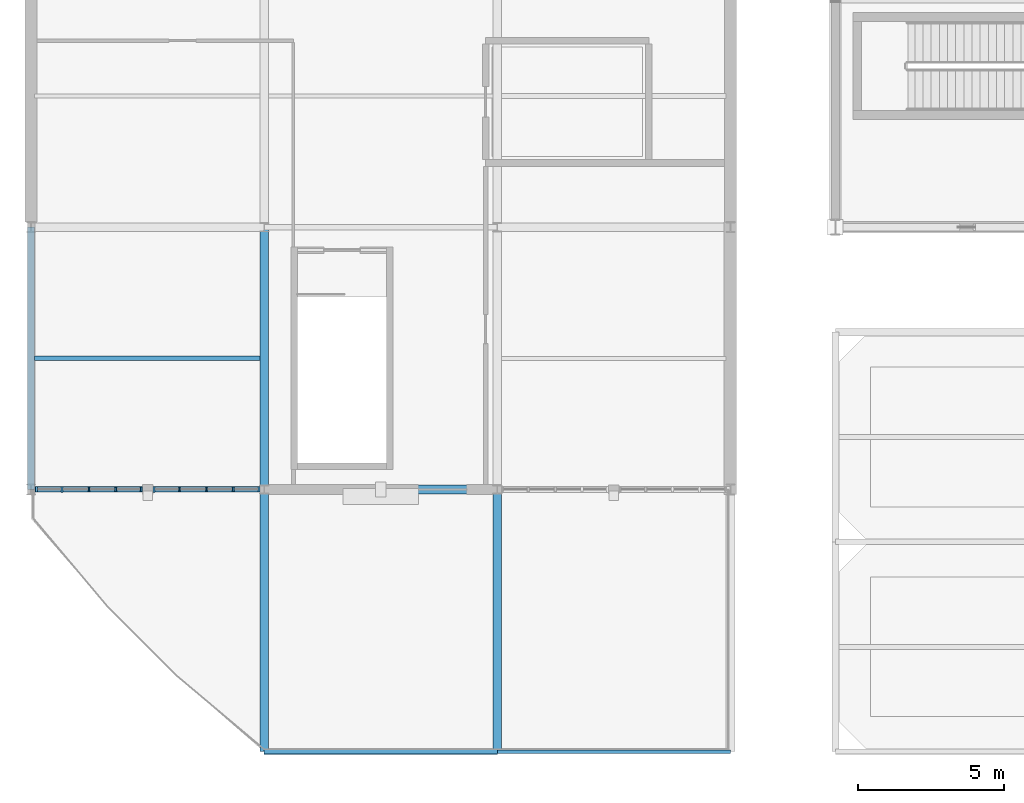
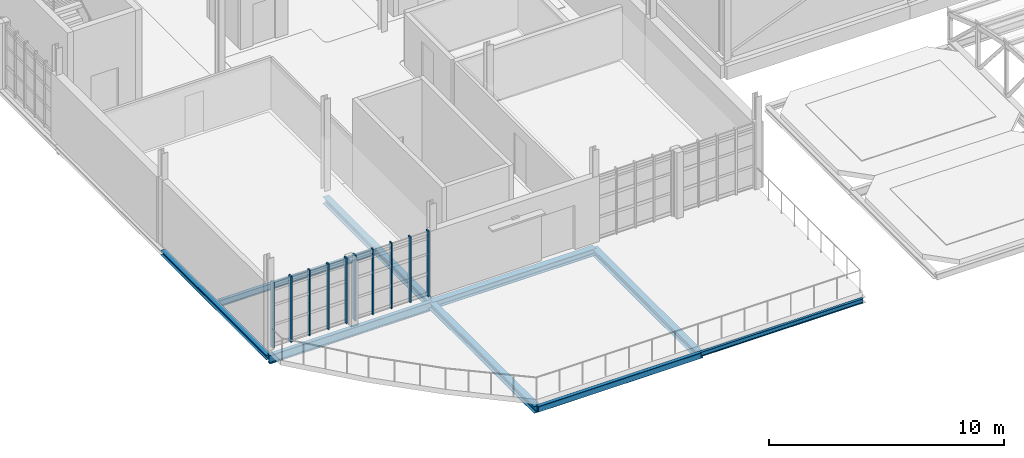
# One storey, part 11 of 128: 10 members, 9 beams, 2 elements without a shape of their own.
"""IFC4 building model written with IfcOpenShell, lengths in metres."""

from ifc_helpers import new_model, si_unit, direction, frame, origin, origin_2d, place, context, subcontext, project, spatial, rectangle, hollow_rectangle, i_section, extrude, material, material_profile, profile_set, type_object, element, aggregate, save


model = new_model("IFC4")

# Units and contexts
model_context = context("Model", 3, precision=1e-05, world=origin(), true_north=direction((0.0, 1.0)))
body_context = subcontext(model_context, "Body", "Model", "MODEL_VIEW")
ifc_project = project(units=[si_unit("LENGTHUNIT", "METRE"), si_unit("AREAUNIT", "SQUARE_METRE"), si_unit("VOLUMEUNIT", "CUBIC_METRE"), si_unit("PLANEANGLEUNIT", "RADIAN"), si_unit("MASSUNIT", "GRAM", prefix="KILO")], contexts=[model_context])

# Site, building, storey
site_placement = place(None, origin())
site = spatial("IfcSite", under=ifc_project, at=site_placement, CompositionType="ELEMENT")
building_placement = place(site_placement, origin())
building = spatial("IfcBuilding", under=site, at=building_placement, Name="Serraforn Aerial Cableway Station", CompositionType="ELEMENT")
storey_placement = place(building_placement, frame((0.0, 0.0, 9.0)))
storey = spatial("IfcBuildingStorey", under=building, at=storey_placement, Name="L02", CompositionType="ELEMENT", Elevation=9.0)

# Beams
ifc_material_1 = material(Name="Steel S355JR", Category="steel")
ifc_material_profile_1 = material_profile(ifc_material_1, i_section(OverallWidth=0.239990234375, OverallDepth=0.239990234375, WebThickness=0.007568359375, FlangeThickness=0.011962890625, FilletRadius=0.02099609375, at=origin_2d()), Name="HEA 240")
ifc_profile_set_1 = profile_set([ifc_material_profile_1], Name="Steel S355JR")
beam_type_1 = type_object("IfcBeamType", Name="BM-ST-HEA240", PredefinedType="BEAM", material=ifc_profile_set_1)
beam_1_placement = place(storey_placement, frame((0.0, 9.0, -0.43994140625), z_axis=(0.0, 1.0, 0.0), x_axis=(-1.0, 0.0, 0.0)))
element("IfcBeam", 1, at=beam_1_placement, inside=storey, type_object=beam_type_1, Name="Grid Girder Y W L02 X1-1", PredefinedType="BEAM", context=body_context, shape_type="SweptSolid", body=[
    extrude(i_section(OverallWidth=0.239990234375, OverallDepth=0.239990234375, WebThickness=0.007568359375, FlangeThickness=0.011962890625, FilletRadius=0.02099609375, at=origin_2d()), origin(), (0.0, 0.0, 1.0), 9.0),
])
ifc_material_profile_2 = material_profile(ifc_material_1, i_section(OverallWidth=0.300048828125, OverallDepth=0.360107421875, WebThickness=0.010009765625, FlangeThickness=0.017578125, FilletRadius=0.027099609375, at=origin_2d()), Name="HEA 360")
ifc_profile_set_2 = profile_set([ifc_material_profile_2], Name="Steel S355JR")
beam_type_2 = type_object("IfcBeamType", Name="BM-ST-HEA360", PredefinedType="BEAM", material=ifc_profile_set_2)
for number, where, z_axis, x_axis, name in (
    (2, (8.0, 0.0, -0.5), (0.0, 1.0, 0.0), (-1.0, 0.0, 0.0), "Grid Girder Y W L02 X2-1"),
    (3, (8.0, 9.0, -0.5), (0.0, 1.0, 0.0), (-1.0, 0.0, 0.0), "Grid Girder Y W L02 X2-2"),
    (4, (16.0, 0.0, -0.5), (0.0, 1.0, 0.0), (-1.0, 0.0, 0.0), "Grid Girder Y W L02 X3-1"),
):
    element("IfcBeam", number, at=place(storey_placement, frame(where, z_axis=z_axis, x_axis=x_axis)), inside=storey, type_object=beam_type_2, Name=name, PredefinedType="BEAM", context=body_context, shape_type="SweptSolid", body=[
        extrude(i_section(OverallWidth=0.300048828125, OverallDepth=0.360107421875, WebThickness=0.010009765625, FlangeThickness=0.017578125, FilletRadius=0.027099609375, at=origin_2d()), origin(), (0.0, 0.0, 1.0), 9.0),
    ])
ifc_material_2 = material(Name="Steel S355J2", Category="steel")
ifc_material_profile_3 = material_profile(ifc_material_2, i_section(OverallWidth=0.300048828125, OverallDepth=0.360107421875, WebThickness=0.012451171875, FlangeThickness=0.0224609375, FilletRadius=0.027099609375, at=origin_2d()), Name="HEB 360")
ifc_profile_set_3 = profile_set([ifc_material_profile_3], Name="Steel S355J2")
beam_type_3 = type_object("IfcBeamType", Name="BM-ST-HEB360", PredefinedType="USERDEFINED", material=ifc_profile_set_3)
beam_2_placement = place(storey_placement, frame((8.0, 9.0, -0.5), z_axis=(1.0, 0.0, 0.0), x_axis=(0.0, 1.0, 0.0)))
element("IfcBeam", 5, at=beam_2_placement, inside=storey, type_object=beam_type_3, Name="Grid Girder X W L02 Y2-2", ObjectType="GIRDER", PredefinedType="USERDEFINED", context=body_context, shape_type="SweptSolid", body=[
    extrude(i_section(OverallWidth=0.300048828125, OverallDepth=0.360107421875, WebThickness=0.012451171875, FlangeThickness=0.0224609375, FilletRadius=0.027099609375, at=origin_2d()), origin(), (0.0, 0.0, 1.0), 8.0),
])
ifc_material_profile_4 = material_profile(ifc_material_1, i_section(OverallWidth=0.1201171875, OverallDepth=0.239990234375, WebThickness=0.006103515625, FlangeThickness=0.009765625, FilletRadius=0.014892578125, at=origin_2d()), Name="IPE 240")
ifc_profile_set_4 = profile_set([ifc_material_profile_4], Name="Steel S355JR")
beam_type_4 = type_object("IfcBeamType", Name="BM-ST-IPE240", PredefinedType="SPANDREL", material=ifc_profile_set_4)
beam_3_placement = place(storey_placement, frame((16.0, 0.0, -0.43994140625), z_axis=(1.0, 0.0, 0.0), x_axis=(0.0, 1.0, 0.0)))
element("IfcBeam", 6, at=beam_3_placement, inside=storey, type_object=beam_type_4, Name="Grid Girder X W L02 Y1-2", PredefinedType="SPANDREL", context=body_context, shape_type="SweptSolid", body=[
    extrude(i_section(OverallWidth=0.1201171875, OverallDepth=0.239990234375, WebThickness=0.006103515625, FlangeThickness=0.009765625, FilletRadius=0.014892578125, at=origin_2d()), origin(), (0.0, 0.0, 1.0), 8.0),
])
ifc_material_profile_5 = material_profile(ifc_material_1, i_section(OverallWidth=0.159912109375, OverallDepth=0.330078125, WebThickness=0.007568359375, FlangeThickness=0.011474609375, FilletRadius=0.01806640625, at=origin_2d()), Name="IPE 330")
ifc_profile_set_5 = profile_set([ifc_material_profile_5], Name="Steel S355JR")
beam_type_5 = type_object("IfcBeamType", Name="BM-ST-IPE330", PredefinedType="JOIST", material=ifc_profile_set_5)
beam_4_placement = place(storey_placement, frame((0.1201171875, 13.5, -0.419921875), z_axis=(1.0, 0.0, 0.0), x_axis=(0.0, 1.0, 0.0)))
element("IfcBeam", 7, at=beam_4_placement, inside=storey, type_object=beam_type_5, Name="Floor Joist W-L02-1-2-1", PredefinedType="JOIST", context=body_context, shape_type="SweptSolid", body=[
    extrude(i_section(OverallWidth=0.159912109375, OverallDepth=0.330078125, WebThickness=0.007568359375, FlangeThickness=0.011474609375, FilletRadius=0.01806640625, at=origin_2d()), origin(), (0.0, 0.0, 1.0), 7.72998046875),
])
ifc_material_profile_6 = material_profile(ifc_material_1, i_section(OverallWidth=0.18994140625, OverallDepth=0.449951171875, WebThickness=0.009521484375, FlangeThickness=0.0146484375, FilletRadius=0.02099609375, at=origin_2d()), Name="IPE 450")
ifc_profile_set_6 = profile_set([ifc_material_profile_6], Name="Steel S355JR")
beam_type_6 = type_object("IfcBeamType", Name="BM-ST-IPE450", PredefinedType="BEAM", material=ifc_profile_set_6)
beam_5_placement = place(storey_placement, frame((0.0, 9.0, -0.544921875), z_axis=(1.0, 0.0, 0.0), x_axis=(0.0, 1.0, 0.0)))
element("IfcBeam", 8, at=beam_5_placement, inside=storey, type_object=beam_type_6, Name="Grid Girder X W L02 Y2-1", PredefinedType="BEAM", context=body_context, shape_type="SweptSolid", body=[
    extrude(i_section(OverallWidth=0.18994140625, OverallDepth=0.449951171875, WebThickness=0.009521484375, FlangeThickness=0.0146484375, FilletRadius=0.02099609375, at=origin_2d()), origin(), (0.0, 0.0, 1.0), 8.0),
])
ifc_material_profile_7 = material_profile(ifc_material_2, hollow_rectangle(XDim=0.199951171875, YDim=0.300048828125, WallThickness=0.012451171875, InnerFilletRadius=0.012451171875, OuterFilletRadius=0.02490234375, at=origin_2d()), Name="RHS 300x200x12.5")
ifc_profile_set_7 = profile_set([ifc_material_profile_7], Name="Steel S355J2")
beam_type_7 = type_object("IfcBeamType", Name="BM-ST-RHS300", PredefinedType="SPANDREL", material=ifc_profile_set_7)
beam_6_placement = place(storey_placement, frame((8.0, 0.0, -0.469970703125), z_axis=(1.0, 0.0, 0.0), x_axis=(0.0, 1.0, 0.0)))
element("IfcBeam", 9, at=beam_6_placement, inside=storey, type_object=beam_type_7, Name="Grid Girder X W L02 Y1-1", PredefinedType="SPANDREL", context=body_context, shape_type="SweptSolid", body=[
    extrude(hollow_rectangle(XDim=0.199951171875, YDim=0.300048828125, WallThickness=0.012451171875, InnerFilletRadius=0.012451171875, OuterFilletRadius=0.02490234375, at=origin_2d()), origin(), (0.0, 0.0, 1.0), 8.0),
])

# Curtain wall, member
ifc_material_3 = material(Name="Anodised bronze unitised curtain wall")
curtain_wall_type_1 = type_object("IfcCurtainWallType", Name="CW-SYS-23", PredefinedType="USERDEFINED", material=ifc_material_3)
curtain_wall_1_placement = place(storey_placement, origin())
curtain_wall_1 = element("IfcCurtainWall", 10, at=curtain_wall_1_placement, inside=storey, type_object=curtain_wall_type_1, Name="Unitised Curtain Wall CW-W-L02-S1A", ObjectType="UNITISED CURTAIN WALL", PredefinedType="USERDEFINED")
ifc_material_4 = material(Name="Anodised bronze extruded aluminium", Category="aluminium")
ifc_material_profile_8 = material_profile(ifc_material_4, rectangle(XDim=0.054931640625, YDim=0.139892578125, at=origin_2d()), Name="CW MULLION 55x140")
ifc_profile_set_8 = profile_set([ifc_material_profile_8], Name="Anodised bronze extruded aluminium")
member_type_1 = type_object("IfcMemberType", Name="CW-MUL-1", PredefinedType="MULLION", material=ifc_profile_set_8)
member_1_placement = place(storey_placement, frame((1.98388671875, 9.0, 0.0), z_axis=(0.0, 0.0, 1.0), x_axis=(1.0, 0.0, 0.0)))
member_1 = element("IfcMember", 11, at=member_1_placement, type_object=member_type_1, Name="Curtain Wall Mullion CW-W-L02-S1A-M3", PredefinedType="MULLION", context=body_context, shape_type="SweptSolid", body=[
    extrude(rectangle(XDim=0.054931640625, YDim=0.139892578125, at=origin_2d()), origin(), (0.0, 0.0, 1.0), 3.419921875),
])

curtain_wall_type_2 = type_object("IfcCurtainWallType", Name="CW-SYS-24", PredefinedType="USERDEFINED", material=ifc_material_3)
curtain_wall_2_placement = place(storey_placement, origin())
curtain_wall_2 = element("IfcCurtainWall", 12, at=curtain_wall_2_placement, inside=storey, type_object=curtain_wall_type_2, Name="Unitised Curtain Wall CW-W-L02-S1B", ObjectType="UNITISED CURTAIN WALL", PredefinedType="USERDEFINED")
member_2_placement = place(storey_placement, frame((5.097900390625, 9.0, 0.0), z_axis=(0.0, 0.0, 1.0), x_axis=(1.0, 0.0, 0.0)))
member_2 = element("IfcMember", 13, at=member_2_placement, type_object=member_type_1, Name="Curtain Wall Mullion CW-W-L02-S1B-M2", PredefinedType="MULLION", context=body_context, shape_type="SweptSolid", body=[
    extrude(rectangle(XDim=0.054931640625, YDim=0.139892578125, at=origin_2d()), origin(), (0.0, 0.0, 1.0), 3.419921875),
])

# Member
ifc_material_profile_9 = material_profile(ifc_material_4, rectangle(XDim=0.06005859375, YDim=0.159912109375, at=origin_2d()), Name="CW MULLION 60x160")
ifc_profile_set_9 = profile_set([ifc_material_profile_9], Name="Anodised bronze extruded aluminium")
member_type_2 = type_object("IfcMemberType", Name="CW-MUL-2", PredefinedType="MULLION", material=ifc_profile_set_9)
member_3_placement = place(storey_placement, frame((2.902099609375, 9.0, 0.0), z_axis=(0.0, 0.0, 1.0), x_axis=(1.0, 0.0, 0.0)))
member_3 = element("IfcMember", 14, at=member_3_placement, type_object=member_type_2, Name="Curtain Wall Mullion CW-W-L02-S1A-M4", PredefinedType="MULLION", context=body_context, shape_type="SweptSolid", body=[
    extrude(rectangle(XDim=0.06005859375, YDim=0.159912109375, at=origin_2d()), origin(), (0.0, 0.0, 1.0), 3.419921875),
])

member_4_placement = place(storey_placement, frame((6.01611328125, 9.0, 0.0), z_axis=(0.0, 0.0, 1.0), x_axis=(1.0, 0.0, 0.0)))
member_4 = element("IfcMember", 15, at=member_4_placement, type_object=member_type_2, Name="Curtain Wall Mullion CW-W-L02-S1B-M3", PredefinedType="MULLION", context=body_context, shape_type="SweptSolid", body=[
    extrude(rectangle(XDim=0.06005859375, YDim=0.159912109375, at=origin_2d()), origin(), (0.0, 0.0, 1.0), 3.419921875),
])

ifc_material_profile_10 = material_profile(ifc_material_4, rectangle(XDim=0.06494140625, YDim=0.175048828125, at=origin_2d()), Name="CW MULLION 65x175")
ifc_profile_set_10 = profile_set([ifc_material_profile_10], Name="Anodised bronze extruded aluminium")
member_type_3 = type_object("IfcMemberType", Name="CW-MUL-3", PredefinedType="MULLION", material=ifc_profile_set_10)
member_5_placement = place(storey_placement, frame((3.78759765625, 9.0, 0.0), z_axis=(0.0, 0.0, 1.0), x_axis=(1.0, 0.0, 0.0)))
member_5 = element("IfcMember", 16, at=member_5_placement, type_object=member_type_3, Name="Curtain Wall Mullion CW-W-L02-S1A-M5", PredefinedType="MULLION", context=body_context, shape_type="SweptSolid", body=[
    extrude(rectangle(XDim=0.06494140625, YDim=0.175048828125, at=origin_2d()), origin(), (0.0, 0.0, 1.0), 3.419921875),
])

member_6_placement = place(storey_placement, frame((6.93408203125, 9.0, 0.0), z_axis=(0.0, 0.0, 1.0), x_axis=(1.0, 0.0, 0.0)))
member_6 = element("IfcMember", 17, at=member_6_placement, type_object=member_type_3, Name="Curtain Wall Mullion CW-W-L02-S1B-M4", PredefinedType="MULLION", context=body_context, shape_type="SweptSolid", body=[
    extrude(rectangle(XDim=0.06494140625, YDim=0.175048828125, at=origin_2d()), origin(), (0.0, 0.0, 1.0), 3.419921875),
])

ifc_material_profile_11 = material_profile(ifc_material_4, rectangle(XDim=0.070068359375, YDim=0.18994140625, at=origin_2d()), Name="CW MULLION 70x190")
ifc_profile_set_11 = profile_set([ifc_material_profile_11], Name="Anodised bronze extruded aluminium")
member_type_4 = type_object("IfcMemberType", Name="CW-MUL-4", PredefinedType="MULLION", material=ifc_profile_set_11)
member_7_placement = place(storey_placement, frame((0.18310546875, 9.0, 0.0), z_axis=(0.0, 0.0, 1.0), x_axis=(1.0, 0.0, 0.0)))
member_7 = element("IfcMember", 18, at=member_7_placement, type_object=member_type_4, Name="Curtain Wall Mullion CW-W-L02-S1A-M1", PredefinedType="MULLION", context=body_context, shape_type="SweptSolid", body=[
    extrude(rectangle(XDim=0.070068359375, YDim=0.18994140625, at=origin_2d()), origin(), (0.0, 0.0, 1.0), 3.419921875),
])

member_8_placement = place(storey_placement, frame((7.81689453125, 9.0, 0.0), z_axis=(0.0, 0.0, 1.0), x_axis=(1.0, 0.0, 0.0)))
member_8 = element("IfcMember", 19, at=member_8_placement, type_object=member_type_4, Name="Curtain Wall Mullion CW-W-L02-S1B-M5", PredefinedType="MULLION", context=body_context, shape_type="SweptSolid", body=[
    extrude(rectangle(XDim=0.070068359375, YDim=0.18994140625, at=origin_2d()), origin(), (0.0, 0.0, 1.0), 3.419921875),
])

ifc_material_profile_12 = material_profile(ifc_material_4, rectangle(XDim=0.074951171875, YDim=0.199951171875, at=origin_2d()), Name="CW MULLION 75x200")
ifc_profile_set_12 = profile_set([ifc_material_profile_12], Name="Anodised bronze extruded aluminium")
member_type_5 = type_object("IfcMemberType", Name="CW-MUL-5", PredefinedType="MULLION", material=ifc_profile_set_12)
member_9_placement = place(storey_placement, frame((1.06591796875, 9.0, 0.0), z_axis=(0.0, 0.0, 1.0), x_axis=(1.0, 0.0, 0.0)))
member_9 = element("IfcMember", 20, at=member_9_placement, type_object=member_type_5, Name="Curtain Wall Mullion CW-W-L02-S1A-M2", PredefinedType="MULLION", context=body_context, shape_type="SweptSolid", body=[
    extrude(rectangle(XDim=0.074951171875, YDim=0.199951171875, at=origin_2d()), origin(), (0.0, 0.0, 1.0), 3.419921875),
])

aggregate(curtain_wall_1, [member_7, member_9, member_1, member_3, member_5])

member_10_placement = place(storey_placement, frame((4.217529296875, 9.0, 0.0), z_axis=(0.0, 0.0, 1.0), x_axis=(1.0, 0.0, 0.0)))
member_10 = element("IfcMember", 21, at=member_10_placement, type_object=member_type_5, Name="Curtain Wall Mullion CW-W-L02-S1B-M1", PredefinedType="MULLION", context=body_context, shape_type="SweptSolid", body=[
    extrude(rectangle(XDim=0.074951171875, YDim=0.199951171875, at=origin_2d()), origin(), (0.0, 0.0, 1.0), 3.419921875),
])

aggregate(curtain_wall_2, [member_10, member_2, member_4, member_6, member_8])

save(model, "model.ifc")
